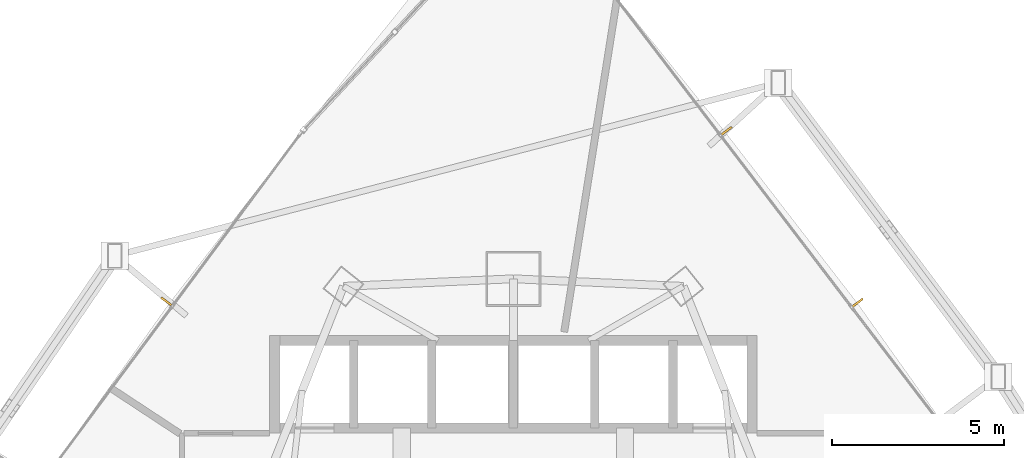
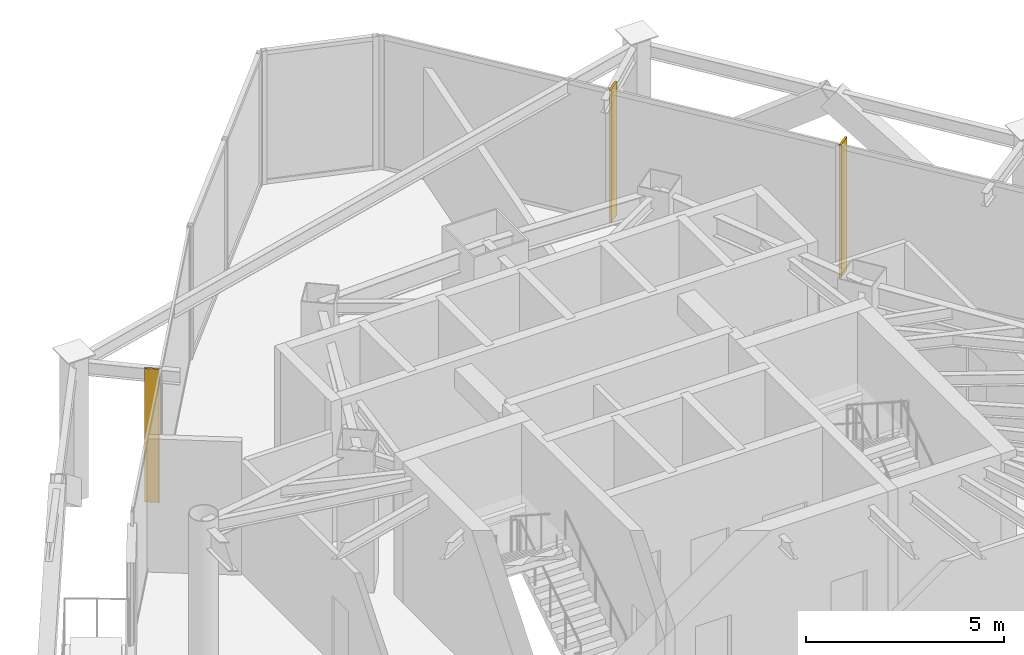
# One storey, part 33 of 33: 3 shading devices.
"""IFC4 building model written with IfcOpenShell, lengths in metres."""

from ifc_helpers import new_model, si_unit, direction, frame, origin, origin_2d, place, context, subcontext, project, spatial, rectangle, extrude, material, layer, layer_set, type_object, element, save


model = new_model("IFC4")

# Units and contexts
model_context = context("Model", 3, precision=1e-05, world=origin(), true_north=direction((0.0, 1.0)))
body_context = subcontext(model_context, "Body", "Model", "MODEL_VIEW")
ifc_project = project(units=[si_unit("LENGTHUNIT", "METRE"), si_unit("AREAUNIT", "SQUARE_METRE"), si_unit("VOLUMEUNIT", "CUBIC_METRE"), si_unit("PLANEANGLEUNIT", "RADIAN"), si_unit("MASSUNIT", "GRAM", prefix="KILO")], contexts=[model_context])

# Site, building, storey
site_placement = place(None, origin())
site = spatial("IfcSite", under=ifc_project, at=site_placement, CompositionType="ELEMENT")
building_placement = place(site_placement, origin())
building = spatial("IfcBuilding", under=site, at=building_placement, Name="Orvanel Arch Residences", CompositionType="ELEMENT")
storey_placement = place(building_placement, frame((0.0, 0.0, 59.89990234375)))
storey = spatial("IfcBuildingStorey", under=building, at=storey_placement, Name="L16", CompositionType="ELEMENT", Elevation=59.89990234375)

# Shading devices
ifc_material = material(Name="Bronze-anodised aluminium AA6063-T6", Category="aluminium")
ifc_layer = layer(ifc_material, 0.06005859375)
ifc_layer_set = layer_set([ifc_layer], Name="Bronze-anodised aluminium AA6063-T6")
shading_device_type = type_object("IfcShadingDeviceType", Name="FIN-BRZ-380", PredefinedType="USERDEFINED", material=ifc_layer_set)
for number, where, z_axis, x_axis, name in (
    (1, (22.89404296875, 40.738037109375, 0.0), (0.0, 0.0, 1.0), (-0.802817475191, 0.596224874966, 0.0), "L16 Anodised Bronze Mullion FIN 01"),
    (2, (43.027099609375, 40.701904296875, 0.0), (0.0, 0.0, 1.0), (0.795473480855, 0.605988400266, 0.0), "L16 Anodised Bronze Mullion FIN 01"),
    (3, (39.208984375, 45.7060546875, 0.0), (0.0, 0.0, 1.0), (0.795473480855, 0.605988400266, 0.0), "L16 Anodised Bronze Mullion FIN 02"),
):
    element("IfcShadingDevice", number, at=place(storey_placement, frame(where, z_axis=z_axis, x_axis=x_axis)), inside=storey, type_object=shading_device_type, Name=name, ObjectType="FIN", PredefinedType="USERDEFINED", context=body_context, shape_type="SweptSolid", body=[
        extrude(rectangle(XDim=0.3798828125, YDim=0.06005859375, at=origin_2d()), origin(), (0.0, 0.0, 1.0), 4.110107421875),
    ])

save(model, "model.ifc")
